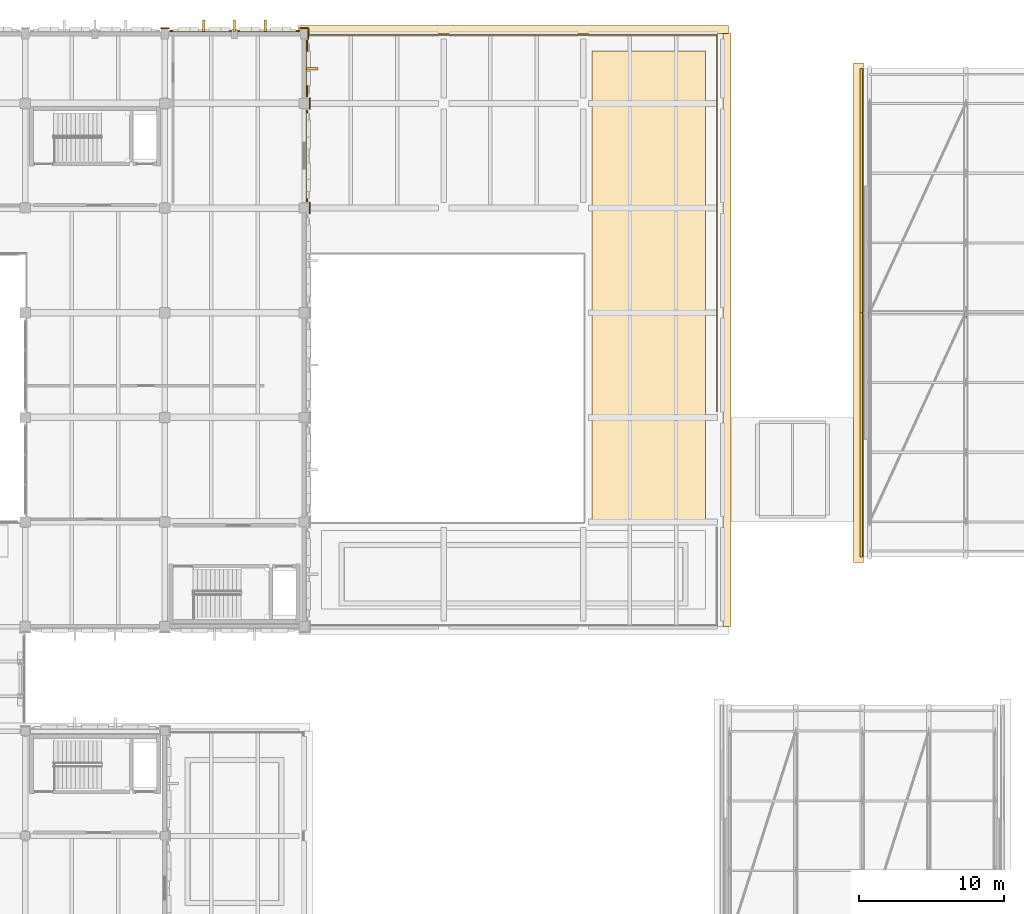
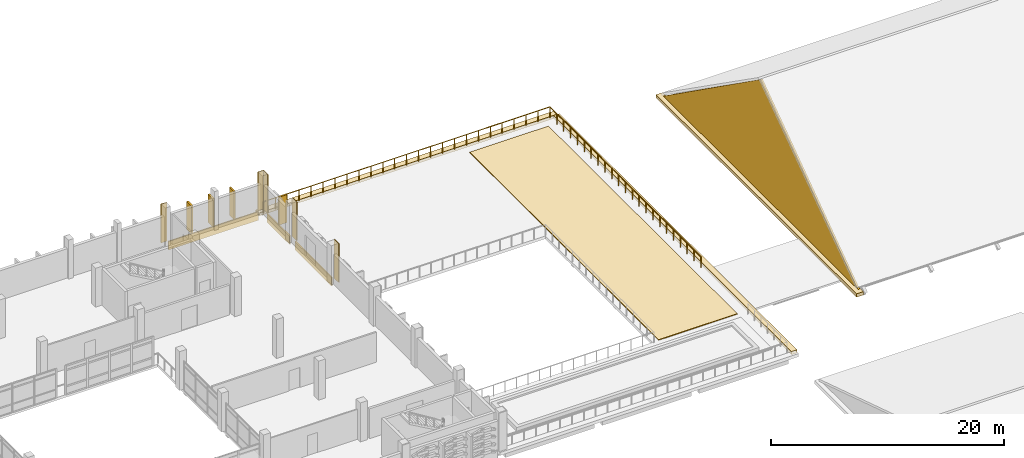
# One storey, part 131 of 134: 17 coverings, 1 railing.
"""IFC4 building model written with IfcOpenShell, lengths in metres."""

from ifc_helpers import new_model, si_unit, direction, frame, origin, origin_2d, place, context, subcontext, project, spatial, polyline, rectangle, circle, outline, extrude, material, layer, layer_set, type_object, element, save


model = new_model("IFC4")

# Units and contexts
model_context = context("Model", 3, precision=1e-05, world=origin(), true_north=direction((0.0, 1.0)))
body_context = subcontext(model_context, "Body", "Model", "MODEL_VIEW")
ifc_project = project(units=[si_unit("LENGTHUNIT", "METRE"), si_unit("AREAUNIT", "SQUARE_METRE"), si_unit("VOLUMEUNIT", "CUBIC_METRE"), si_unit("PLANEANGLEUNIT", "RADIAN"), si_unit("MASSUNIT", "GRAM", prefix="KILO")], contexts=[model_context])

# Site, building, storey
site_placement = place(None, origin())
site = spatial("IfcSite", under=ifc_project, at=site_placement, CompositionType="ELEMENT")
building_placement = place(site_placement, origin())
building = spatial("IfcBuilding", under=site, at=building_placement, Name="Asteropetra Specialist Clinic", CompositionType="ELEMENT")
storey_placement = place(building_placement, frame((0.0, 0.0, 8.5)))
storey = spatial("IfcBuildingStorey", under=building, at=storey_placement, Name="L02", CompositionType="ELEMENT", Elevation=8.5)

# Railing
ifc_material_1 = material(Name="Pentelic marble and bronze balustrade", Category="masonry")
railing_type = type_object("IfcRailingType", Name="BAL-STONE-1150", PredefinedType="BALUSTRADE", material=ifc_material_1)
railing_placement = place(storey_placement, frame((76.39990234375, 84.419921875, 0.0)))
element("IfcRailing", 1, at=railing_placement, inside=storey, type_object=railing_type, Name="Perimeter Guard BAL-V4-L02E-N", PredefinedType="BALUSTRADE", context=body_context, shape_type="SweptSolid", body=[
    extrude(circle(Radius=0.02392578125, at=origin_2d()), frame((0.0, 0.0, 1.1259765625), z_axis=(0.0, 1.0, 0.0), x_axis=(-1.0, 0.0, 0.0)), (0.0, 0.0, 1.0), 25.900146484375),
    extrude(circle(Radius=0.02392578125, at=origin_2d()), frame((0.0, 25.900146484375, 1.1259765625), z_axis=(-1.0, 0.0, 0.0), x_axis=(0.0, -1.0, 0.0)), (0.0, 0.0, 1.0), 28.39990234375),
    extrude(circle(Radius=0.02099609375, at=origin_2d()), origin(), (0.0, 0.0, 1.0), 1.101806640625),
    extrude(circle(Radius=0.02099609375, at=origin_2d()), frame((0.0, 1.17724609375, 0.0)), (0.0, 0.0, 1.0), 1.101806640625),
    extrude(circle(Radius=0.02099609375, at=origin_2d()), frame((0.0, 2.3544921875, 0.0)), (0.0, 0.0, 1.0), 1.101806640625),
    extrude(circle(Radius=0.02099609375, at=origin_2d()), frame((0.0, 3.53173828125, 0.0)), (0.0, 0.0, 1.0), 1.101806640625),
    extrude(circle(Radius=0.02099609375, at=origin_2d()), frame((0.0, 4.709228515625, 0.0)), (0.0, 0.0, 1.0), 1.101806640625),
    extrude(circle(Radius=0.02099609375, at=origin_2d()), frame((0.0, 5.886474609375, 0.0)), (0.0, 0.0, 1.0), 1.101806640625),
    extrude(circle(Radius=0.02099609375, at=origin_2d()), frame((0.0, 7.063720703125, 0.0)), (0.0, 0.0, 1.0), 1.101806640625),
    extrude(circle(Radius=0.02099609375, at=origin_2d()), frame((0.0, 8.240966796875, 0.0)), (0.0, 0.0, 1.0), 1.101806640625),
    extrude(circle(Radius=0.02099609375, at=origin_2d()), frame((0.0, 9.418212890625, 0.0)), (0.0, 0.0, 1.0), 1.101806640625),
    extrude(circle(Radius=0.02099609375, at=origin_2d()), frame((0.0, 10.595458984375, 0.0)), (0.0, 0.0, 1.0), 1.101806640625),
    extrude(circle(Radius=0.02099609375, at=origin_2d()), frame((0.0, 11.772705078125, 0.0)), (0.0, 0.0, 1.0), 1.101806640625),
    extrude(circle(Radius=0.02099609375, at=origin_2d()), frame((0.0, 12.9501953125, 0.0)), (0.0, 0.0, 1.0), 1.101806640625),
    extrude(circle(Radius=0.02099609375, at=origin_2d()), frame((0.0, 14.12744140625, 0.0)), (0.0, 0.0, 1.0), 1.101806640625),
    extrude(circle(Radius=0.02099609375, at=origin_2d()), frame((0.0, 15.3046875, 0.0)), (0.0, 0.0, 1.0), 1.101806640625),
    extrude(circle(Radius=0.02099609375, at=origin_2d()), frame((0.0, 16.48193359375, 0.0)), (0.0, 0.0, 1.0), 1.101806640625),
    extrude(circle(Radius=0.02099609375, at=origin_2d()), frame((0.0, 17.6591796875, 0.0)), (0.0, 0.0, 1.0), 1.101806640625),
    extrude(circle(Radius=0.02099609375, at=origin_2d()), frame((0.0, 18.83642578125, 0.0)), (0.0, 0.0, 1.0), 1.101806640625),
    extrude(circle(Radius=0.02099609375, at=origin_2d()), frame((0.0, 20.013671875, 0.0)), (0.0, 0.0, 1.0), 1.101806640625),
    extrude(circle(Radius=0.02099609375, at=origin_2d()), frame((0.0, 21.19091796875, 0.0)), (0.0, 0.0, 1.0), 1.101806640625),
    extrude(circle(Radius=0.02099609375, at=origin_2d()), frame((0.0, 22.368408203125, 0.0)), (0.0, 0.0, 1.0), 1.101806640625),
    extrude(circle(Radius=0.02099609375, at=origin_2d()), frame((0.0, 23.545654296875, 0.0)), (0.0, 0.0, 1.0), 1.101806640625),
    extrude(circle(Radius=0.02099609375, at=origin_2d()), frame((0.0, 24.722900390625, 0.0)), (0.0, 0.0, 1.0), 1.101806640625),
    extrude(circle(Radius=0.02099609375, at=origin_2d()), frame((0.0, 25.900146484375, 0.0)), (0.0, 0.0, 1.0), 1.101806640625),
    extrude(circle(Radius=0.02099609375, at=origin_2d()), frame((-1.183349609375, 25.900146484375, 0.0)), (0.0, 0.0, 1.0), 1.101806640625),
    extrude(circle(Radius=0.02099609375, at=origin_2d()), frame((-2.36669921875, 25.900146484375, 0.0)), (0.0, 0.0, 1.0), 1.101806640625),
    extrude(circle(Radius=0.02099609375, at=origin_2d()), frame((-3.550048828125, 25.900146484375, 0.0)), (0.0, 0.0, 1.0), 1.101806640625),
    extrude(circle(Radius=0.02099609375, at=origin_2d()), frame((-4.7333984375, 25.900146484375, 0.0)), (0.0, 0.0, 1.0), 1.101806640625),
    extrude(circle(Radius=0.02099609375, at=origin_2d()), frame((-5.916748046875, 25.900146484375, 0.0)), (0.0, 0.0, 1.0), 1.101806640625),
    extrude(circle(Radius=0.02099609375, at=origin_2d()), frame((-7.10009765625, 25.900146484375, 0.0)), (0.0, 0.0, 1.0), 1.101806640625),
    extrude(circle(Radius=0.02099609375, at=origin_2d()), frame((-8.283203125, 25.900146484375, 0.0)), (0.0, 0.0, 1.0), 1.101806640625),
    extrude(circle(Radius=0.02099609375, at=origin_2d()), frame((-9.466552734375, 25.900146484375, 0.0)), (0.0, 0.0, 1.0), 1.101806640625),
    extrude(circle(Radius=0.02099609375, at=origin_2d()), frame((-10.64990234375, 25.900146484375, 0.0)), (0.0, 0.0, 1.0), 1.101806640625),
    extrude(circle(Radius=0.02099609375, at=origin_2d()), frame((-11.833251953125, 25.900146484375, 0.0)), (0.0, 0.0, 1.0), 1.101806640625),
    extrude(circle(Radius=0.02099609375, at=origin_2d()), frame((-13.0166015625, 25.900146484375, 0.0)), (0.0, 0.0, 1.0), 1.101806640625),
    extrude(circle(Radius=0.02099609375, at=origin_2d()), frame((-14.199951171875, 25.900146484375, 0.0)), (0.0, 0.0, 1.0), 1.101806640625),
    extrude(circle(Radius=0.02099609375, at=origin_2d()), frame((-15.38330078125, 25.900146484375, 0.0)), (0.0, 0.0, 1.0), 1.101806640625),
    extrude(circle(Radius=0.02099609375, at=origin_2d()), frame((-16.566650390625, 25.900146484375, 0.0)), (0.0, 0.0, 1.0), 1.101806640625),
    extrude(circle(Radius=0.02099609375, at=origin_2d()), frame((-17.75, 25.900146484375, 0.0)), (0.0, 0.0, 1.0), 1.101806640625),
    extrude(circle(Radius=0.02099609375, at=origin_2d()), frame((-18.933349609375, 25.900146484375, 0.0)), (0.0, 0.0, 1.0), 1.101806640625),
    extrude(circle(Radius=0.02099609375, at=origin_2d()), frame((-20.11669921875, 25.900146484375, 0.0)), (0.0, 0.0, 1.0), 1.101806640625),
    extrude(circle(Radius=0.02099609375, at=origin_2d()), frame((-21.2998046875, 25.900146484375, 0.0)), (0.0, 0.0, 1.0), 1.101806640625),
    extrude(circle(Radius=0.02099609375, at=origin_2d()), frame((-22.483154296875, 25.900146484375, 0.0)), (0.0, 0.0, 1.0), 1.101806640625),
    extrude(circle(Radius=0.02099609375, at=origin_2d()), frame((-23.66650390625, 25.900146484375, 0.0)), (0.0, 0.0, 1.0), 1.101806640625),
    extrude(circle(Radius=0.02099609375, at=origin_2d()), frame((-24.849853515625, 25.900146484375, 0.0)), (0.0, 0.0, 1.0), 1.101806640625),
    extrude(circle(Radius=0.02099609375, at=origin_2d()), frame((-26.033203125, 25.900146484375, 0.0)), (0.0, 0.0, 1.0), 1.101806640625),
    extrude(circle(Radius=0.02099609375, at=origin_2d()), frame((-27.216552734375, 25.900146484375, 0.0)), (0.0, 0.0, 1.0), 1.101806640625),
    extrude(circle(Radius=0.02099609375, at=origin_2d()), frame((-28.39990234375, 25.900146484375, 0.0)), (0.0, 0.0, 1.0), 1.101806640625),
])

# Coverings
ifc_material_2 = material(Name="Chevron terracotta mid", Category="masonry")
ifc_layer_1 = layer(ifc_material_2, 0.1201171875)
ifc_layer_set_1 = layer_set([ifc_layer_1], Name="Chevron terracotta mid")
covering_type_1 = type_object("IfcCoveringType", Name="CLD-TER-MID", PredefinedType="CLADDING", material=ifc_layer_set_1)
covering_1_placement = place(storey_placement, frame((43.199951171875, 110.590087890625, -0.800048828125), z_axis=(0.0, 0.0, 1.0), x_axis=(1.0, 0.0, 0.0)))
element("IfcCovering", 2, at=covering_1_placement, inside=storey, type_object=covering_type_1, Name="Chevron Spandrel Band CV-1431", PredefinedType="CLADDING", context=body_context, shape_type="SweptSolid", body=[
    extrude(rectangle(XDim=8.89990234375, YDim=0.1201171875, at=origin_2d()), origin(), (0.0, 0.0, 1.0), 0.8798828125),
])
covering_2_placement = place(storey_placement, frame((48.18994140625, 102.0, -0.800048828125), z_axis=(0.0, 0.0, 1.0), x_axis=(1.0, 0.0, 0.0)))
element("IfcCovering", 3, at=covering_2_placement, inside=storey, type_object=covering_type_1, Name="Chevron Spandrel Band CV-1441", PredefinedType="CLADDING", context=body_context, shape_type="SweptSolid", body=[
    extrude(rectangle(XDim=0.1201171875, YDim=6.300048828125, at=origin_2d()), origin(), (0.0, 0.0, 1.0), 0.8798828125),
])
covering_3_placement = place(storey_placement, frame((48.18994140625, 108.0, -0.800048828125), z_axis=(0.0, 0.0, 1.0), x_axis=(1.0, 0.0, 0.0)))
element("IfcCovering", 4, at=covering_3_placement, inside=storey, type_object=covering_type_1, Name="Chevron Spandrel Band CV-1443", PredefinedType="CLADDING", context=body_context, shape_type="SweptSolid", body=[
    extrude(rectangle(XDim=0.1201171875, YDim=3.89990234375, at=origin_2d()), origin(), (0.0, 0.0, 1.0), 0.8798828125),
])
ifc_material_3 = material(Name="Pentelic marble ashlar", Category="masonry")
ifc_layer_2 = layer(ifc_material_3, 0.159912109375)
ifc_layer_set_2 = layer_set([ifc_layer_2], Name="Pentelic marble ashlar")
covering_type_2 = type_object("IfcCoveringType", Name="CRN-ENTAB-600", PredefinedType="MOLDING", material=ifc_layer_set_2)
covering_4_placement = place(storey_placement, frame((38.39990234375, 110.781982421875, 0.02001953125), z_axis=(0.0, 0.0, 1.0), x_axis=(1.0, 0.0, 0.0)))
element("IfcCovering", 5, at=covering_4_placement, inside=storey, type_object=covering_type_2, Name="Neoclassical Pilaster Facing CM-0665", PredefinedType="MOLDING", context=body_context, shape_type="SweptSolid", body=[
    extrude(rectangle(XDim=0.580078125, YDim=0.080078125, at=origin_2d()), origin(), (0.0, 0.0, 1.0), 4.0400390625),
])
for number, where, z_axis, x_axis, name in (
    (6, (48.382080078125, 98.39990234375, 0.02001953125), (0.0, 0.0, 1.0), (1.0, 0.0, 0.0), "Neoclassical Pilaster Facing CM-0671"),
    (7, (48.382080078125, 105.60009765625, 0.02001953125), (0.0, 0.0, 1.0), (1.0, 0.0, 0.0), "Neoclassical Pilaster Facing CM-0672"),
):
    element("IfcCovering", number, at=place(storey_placement, frame(where, z_axis=z_axis, x_axis=x_axis)), inside=storey, type_object=covering_type_2, Name=name, PredefinedType="MOLDING", context=body_context, shape_type="SweptSolid", body=[
        extrude(rectangle(XDim=0.080078125, YDim=0.780029296875, at=origin_2d()), origin(), (0.0, 0.0, 1.0), 4.0400390625),
    ])
covering_5_placement = place(storey_placement, frame((48.0, 110.781982421875, 0.02001953125), z_axis=(0.0, 0.0, 1.0), x_axis=(1.0, 0.0, 0.0)))
element("IfcCovering", 8, at=covering_5_placement, inside=storey, type_object=covering_type_2, Name="Neoclassical Pilaster Facing CM-0673", PredefinedType="MOLDING", context=body_context, shape_type="SweptSolid", body=[
    extrude(rectangle(XDim=0.580078125, YDim=0.080078125, at=origin_2d()), origin(), (0.0, 0.0, 1.0), 4.0400390625),
])
covering_6_placement = place(storey_placement, frame((48.281982421875, 110.39990234375, 0.02001953125), z_axis=(0.0, 0.0, 1.0), x_axis=(1.0, 0.0, 0.0)))
element("IfcCovering", 9, at=covering_6_placement, inside=storey, type_object=covering_type_2, Name="Neoclassical Pilaster Facing CM-0674", PredefinedType="MOLDING", context=body_context, shape_type="SweptSolid", body=[
    extrude(rectangle(XDim=0.080078125, YDim=0.780029296875, at=origin_2d()), origin(), (0.0, 0.0, 1.0), 4.0400390625),
])
covering_7_placement = place(storey_placement, frame((86.239990234375, 74.39990234375, 0.199951171875), z_axis=(-0.999998596719, 0.0, 0.001675279076), x_axis=(0.0, 1.0, 0.0)))
element("IfcCovering", 10, at=covering_7_placement, inside=storey, type_object=covering_type_2, Name="Classical Pediment Tympanum Face TF-002", PredefinedType="MOLDING", context=body_context, shape_type="SweptSolid", body=[
    extrude(outline(polyline([(0.0, 0.0), (33.60009765625, 0.0), (16.800048828125, -11.9499679410377), (0.0, 0.0)])), origin(), (0.0, 0.0, -1.0), 0.159912109375),
])
covering_8_placement = place(storey_placement, frame((86.139892578125, 91.199951171875, -0.06982421875), z_axis=(0.0, 0.0, 1.0), x_axis=(1.0, 0.0, 0.0)))
element("IfcCovering", 11, at=covering_8_placement, inside=storey, type_object=covering_type_2, Name="Pediment Geison Cornice CR-003", PredefinedType="MOLDING", context=body_context, shape_type="SweptSolid", body=[
    extrude(rectangle(XDim=0.679931640625, YDim=34.39990234375, at=origin_2d()), origin(), (0.0, 0.0, 1.0), 0.340087890625),
])
covering_9_placement = place(storey_placement, frame((62.39990234375, 110.679931640625, -0.2802734375), z_axis=(0.0, 0.0, 1.0), x_axis=(1.0, 0.0, 0.0)))
element("IfcCovering", 12, at=covering_9_placement, inside=storey, type_object=covering_type_2, Name="Classical Entablature Cornice EC-018", PredefinedType="MOLDING", context=body_context, shape_type="SweptSolid", body=[
    extrude(rectangle(XDim=29.60009765625, YDim=0.56005859375, at=origin_2d()), origin(), (0.0, 0.0, 1.0), 0.320068359375),
])
covering_10_placement = place(storey_placement, frame((77.080078125, 90.0, -0.2802734375), z_axis=(0.0, 0.0, 1.0), x_axis=(1.0, 0.0, 0.0)))
element("IfcCovering", 13, at=covering_10_placement, inside=storey, type_object=covering_type_2, Name="Classical Entablature Cornice EC-019", PredefinedType="MOLDING", context=body_context, shape_type="SweptSolid", body=[
    extrude(rectangle(XDim=0.56005859375, YDim=40.800048828125, at=origin_2d()), origin(), (0.0, 0.0, 1.0), 0.320068359375),
])
ifc_material_4 = material(Name="Pentelic marble solar fin", Category="masonry")
ifc_layer_3 = layer(ifc_material_4, 0.080078125)
ifc_layer_set_3 = layer_set([ifc_layer_3], Name="Pentelic marble solar fin")
covering_type_3 = type_object("IfcCoveringType", Name="FIN-SOLAR-800", PredefinedType="MOLDING", material=ifc_layer_set_3)
for number, where, z_axis, x_axis, name in (
    (14, (45.31494140625, 110.945068359375, 0.070068359375), (0.0, 0.0, 1.0), (1.0, 0.0, 0.0), "Solar Shading Fin FN-0065"),
    (15, (43.199951171875, 110.945068359375, 0.070068359375), (0.0, 0.0, 1.0), (1.0, 0.0, 0.0), "Solar Shading Fin FN-0066"),
    (16, (41.0849609375, 110.945068359375, 0.070068359375), (0.0, 0.0, 1.0), (1.0, 0.0, 0.0), "Solar Shading Fin FN-0067"),
):
    element("IfcCovering", number, at=place(storey_placement, frame(where, z_axis=z_axis, x_axis=x_axis)), inside=storey, type_object=covering_type_3, Name=name, PredefinedType="MOLDING", context=body_context, shape_type="SweptSolid", body=[
        extrude(rectangle(XDim=0.159912109375, YDim=0.800048828125, at=origin_2d()), origin(), (0.0, 0.0, 1.0), 2.93994140625),
    ])
covering_11_placement = place(storey_placement, frame((48.544921875, 108.0, 0.070068359375), z_axis=(0.0, 0.0, 1.0), x_axis=(1.0, 0.0, 0.0)))
element("IfcCovering", 17, at=covering_11_placement, inside=storey, type_object=covering_type_3, Name="Solar Shading Fin FN-0078", PredefinedType="MOLDING", context=body_context, shape_type="SweptSolid", body=[
    extrude(rectangle(XDim=0.800048828125, YDim=0.159912109375, at=origin_2d()), origin(), (0.0, 0.0, 1.0), 2.93994140625),
])
ifc_material_5 = material(Name="Planted roof growing medium")
ifc_layer_4 = layer(ifc_material_5, 0.080078125)
ifc_layer_set_4 = layer_set([ifc_layer_4], Name="Planted roof growing medium")
covering_type_4 = type_object("IfcCoveringType", Name="RFG-GREEN-V2", PredefinedType="ROOFING", material=ifc_layer_set_4)
covering_12_placement = place(storey_placement, origin())
element("IfcCovering", 18, at=covering_12_placement, inside=storey, type_object=covering_type_4, Name="Roof Covering RFG-V4-GARDEN2", PredefinedType="ROOFING", context=body_context, shape_type="SweptSolid", body=[
    extrude(outline(polyline([(67.800048828125, 76.800048828125), (75.60009765625, 76.800048828125), (75.60009765625, 109.199951171875), (67.800048828125, 109.199951171875), (67.800048828125, 76.800048828125)])), origin(), (0.0, 0.0, 1.0), 0.080078125),
])

save(model, "model.ifc")
